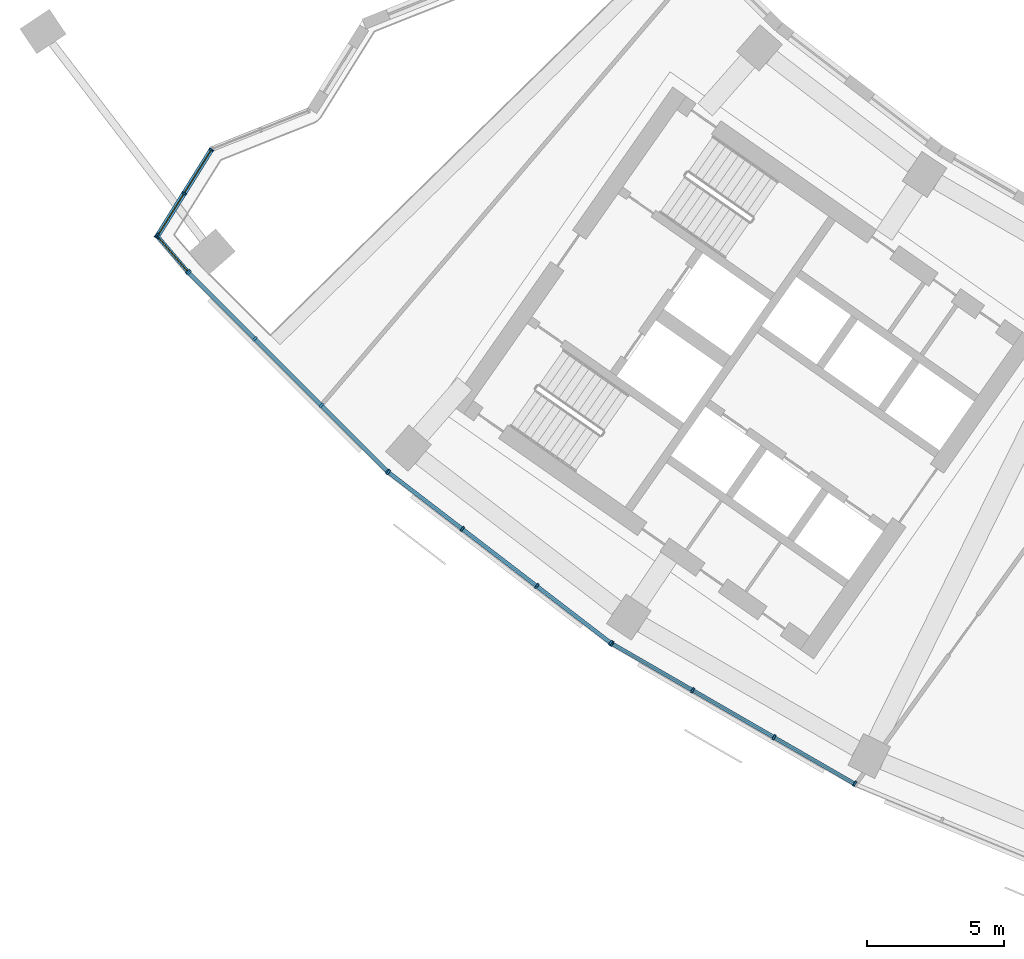
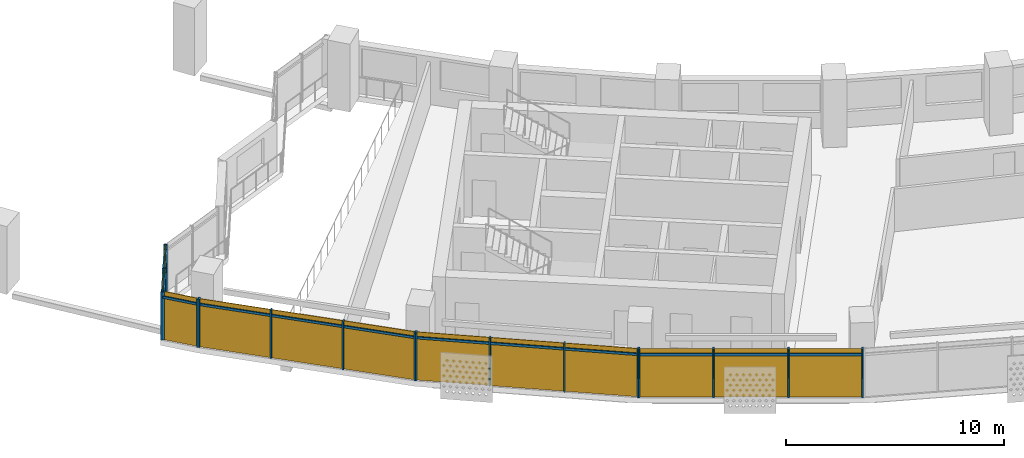
# One storey, part 16 of 27: 29 members, 5 curtain walls.
"""IFC4 building model written with IfcOpenShell, lengths in metres."""

import ifcopenshell
import ifcopenshell.guid

model = None  # the IFC model being written
_history = None  # IfcOwnerHistory: only IFC2X3 demands one
_inside = {}  # id of a spatial element -> (the spatial element, [elements in it])
_under = {}  # id of a project, library or spatial element -> (it, [spatial elements below it])
_declared = {}  # id of a project -> (the project, [libraries it declares])
_typed = {}  # id of a type object -> (the type object, [elements of that type])
_made_of = {}  # id of a material, layer set ... -> (it, [elements and type objects made of it])


def new_model(schema):
    """Start an empty IFC model of exactly this schema.

    Asked for "IFC4X3", IfcOpenShell would pick the latest addendum, in which some entities
    have other attributes; the version numbers below select the first issue.
    IFC2X3 requires an IfcOwnerHistory on every rooted entity: one is made here for all.
    """
    global model, _history
    if schema == "IFC4X3":
        model = ifcopenshell.file(schema_version=(4, 3, 0, 0))
    else:
        model = ifcopenshell.file(schema=schema)
    _inside.clear()
    _under.clear()
    _declared.clear()
    _typed.clear()
    _made_of.clear()
    _history = None
    if model.schema == "IFC2X3":
        org = make("IfcOrganization", Name="unknown")
        user = make(
            "IfcPersonAndOrganization",
            ThePerson=make("IfcPerson", FamilyName="unknown"),
            TheOrganization=org,
        )
        app = make(
            "IfcApplication",
            ApplicationDeveloper=org,
            Version="unknown",
            ApplicationFullName="unknown",
            ApplicationIdentifier="unknown",
        )
        _history = make(
            "IfcOwnerHistory",
            OwningUser=user,
            OwningApplication=app,
            ChangeAction="ADDED",
            CreationDate=0,
        )
    return model


def make(cls, **values):
    """One entity of the class cls with the attributes given. An attribute that is None is left unset."""
    return model.create_entity(
        cls, **{name: value for name, value in values.items() if value is not None}
    )


def rooted(cls, **values):
    """An entity with a GlobalId (a new one), such as an element, a storey or a relation."""
    return make(cls, GlobalId=ifcopenshell.guid.new(), OwnerHistory=_history, **values)


def si_unit(unit_type, name, prefix=None):
    """IfcSIUnit, for example si_unit("LENGTHUNIT", "METRE", prefix="MILLI")."""
    return make("IfcSIUnit", UnitType=unit_type, Prefix=prefix, Name=name)


def assignment(units):
    """IfcUnitAssignment: the units of a project."""
    return None if units is None else make("IfcUnitAssignment", Units=units)


def point(xyz):
    """IfcCartesianPoint."""
    return None if xyz is None else make("IfcCartesianPoint", Coordinates=xyz)


def direction(xyz):
    """IfcDirection."""
    return None if xyz is None else make("IfcDirection", DirectionRatios=xyz)


def frame(location, z_axis=None, x_axis=None):
    """IfcAxis2Placement3D, a coordinate frame: its origin and axes. An axis left out is left unset."""
    return make(
        "IfcAxis2Placement3D",
        Location=point(location),
        Axis=direction(z_axis),
        RefDirection=direction(x_axis),
    )


def frame_2d(location, x_axis=None):
    """IfcAxis2Placement2D, a coordinate frame in the plane: its origin and x axis."""
    return make(
        "IfcAxis2Placement2D", Location=point(location), RefDirection=direction(x_axis)
    )


def origin():
    """The frame at (0, 0, 0) with its axes left unset."""
    return frame((0.0, 0.0, 0.0))


def origin_2d():
    """The frame at (0, 0) in the plane with its x axis left unset."""
    return frame_2d((0.0, 0.0))


def place(relative_to, where):
    """IfcLocalPlacement: puts the frame where relative to a parent placement (None: the world)."""
    return make(
        "IfcLocalPlacement", PlacementRelTo=relative_to, RelativePlacement=where
    )


def context(
    kind, dimensions, precision=None, world=None, true_north=None, identifier=None
):
    """IfcGeometricRepresentationContext, for example the 3D "Model" context."""
    return make(
        "IfcGeometricRepresentationContext",
        ContextIdentifier=identifier,
        ContextType=kind,
        CoordinateSpaceDimension=dimensions,
        Precision=precision,
        WorldCoordinateSystem=world,
        TrueNorth=true_north,
    )


def subcontext(parent, identifier, kind, view, scale=None):
    """IfcGeometricRepresentationSubContext, for example "Body" below "Model"."""
    return make(
        "IfcGeometricRepresentationSubContext",
        ContextIdentifier=identifier,
        ContextType=kind,
        ParentContext=parent,
        TargetScale=scale,
        TargetView=view,
    )


def project(units=None, contexts=None):
    """IfcProject with its units and contexts."""
    return rooted(
        "IfcProject",
        Name="project",
        RepresentationContexts=contexts,
        UnitsInContext=assignment(units),
    )


def spatial(cls, under=None, at=None, **own):
    """A site, building, storey or space (cls), placed at a placement, below another one or the project."""
    s = rooted(cls, ObjectPlacement=at, **own)
    if under is not None:
        _under.setdefault(under.id(), (under, []))[1].append(s)
    return s


def profile(cls, at=None, kind="AREA", **sizes):
    """A parametric profile (cls). Its sizes go by their IFC names, for example OverallWidth=200.0."""
    return make(cls, ProfileType=kind, Position=at, **sizes)


def rectangle(**sizes):
    """IfcRectangleProfileDef."""
    return profile("IfcRectangleProfileDef", **sizes)


def extrude(swept, where, along, depth):
    """IfcExtrudedAreaSolid: the profile swept, set in the frame where, extruded along a direction by depth."""
    return make(
        "IfcExtrudedAreaSolid",
        SweptArea=swept,
        Position=where,
        ExtrudedDirection=direction(along),
        Depth=depth,
    )


def shape(context_of_items, identifier, shape_type, items):
    """IfcShapeRepresentation: the items that make up one representation, for example the "Body"."""
    return make(
        "IfcShapeRepresentation",
        ContextOfItems=context_of_items,
        RepresentationIdentifier=identifier,
        RepresentationType=shape_type,
        Items=items,
    )


def material(Name=None, Category=None):
    """IfcMaterial."""
    return make("IfcMaterial", Name=Name, Category=Category)


def material_profile(
    of_material, cross_section, Name=None, Category=None, Priority=None
):
    """IfcMaterialProfile: a cross section and its material."""
    return make(
        "IfcMaterialProfile",
        Name=Name,
        Material=of_material,
        Profile=cross_section,
        Priority=Priority,
        Category=Category,
    )


def profile_set(profiles, Name=None, composite=None):
    """IfcMaterialProfileSet."""
    return make(
        "IfcMaterialProfileSet",
        Name=Name,
        MaterialProfiles=profiles,
        CompositeProfile=composite,
    )


def made_of(thing, what):
    """Note that an element or type object is made of a material, layer set ...; save() writes the relation."""
    if what is not None:
        _made_of.setdefault(what.id(), (what, []))[1].append(thing)
    return thing


def type_object(cls, material=None, **own):
    """A type object (cls), such as IfcWallType, which elements share."""
    return made_of(rooted(cls, **own), material)


def element(
    cls,
    number,
    at=None,
    inside=None,
    cuts=None,
    type_object=None,
    material=None,
    context=None,
    identifier="Body",
    shape_type=None,
    held_by="IfcProductDefinitionShape",
    body=None,
    shapes=None,
    **own,
):
    """One element of the class cls, such as IfcWall. Its Tag is "e" and its number.

    at: its placement. inside: the storey or other place that contains it. cuts: it is an
    opening in that element (IfcRelVoidsElement). A single representation is given by context,
    identifier, shape_type and body (its items); several are given by shapes. held_by: the class
    of the entity that holds the representations. save() writes the other relations.
    """
    e = rooted(cls, Tag="e%d" % number, ObjectPlacement=at, **own)
    if body is not None:
        shapes = [shape(context, identifier, shape_type, body)]
    if shapes is not None:
        e.Representation = make(held_by, Representations=shapes)
    if inside is not None:
        _inside.setdefault(inside.id(), (inside, []))[1].append(e)
    if cuts is not None:
        rooted(
            "IfcRelVoidsElement", RelatingBuildingElement=cuts, RelatedOpeningElement=e
        )
    if type_object is not None:
        _typed.setdefault(type_object.id(), (type_object, []))[1].append(e)
    return made_of(e, material)


def aggregate(whole, parts):
    """IfcRelAggregates: a whole, such as a stair, and the parts it consists of."""
    return rooted("IfcRelAggregates", RelatingObject=whole, RelatedObjects=parts)


def save(model, path):
    """Write the relations noted so far, then the file.

    IfcRelAggregates (storeys below a building ...), IfcRelContainedInSpatialStructure (elements
    in a storey), IfcRelDefinesByType, IfcRelAssociatesMaterial and IfcRelDeclares: one each for
    every whole, place, type object, material and project.
    """
    for whole, parts in _under.values():
        aggregate(whole, parts)
    for where, things in _inside.values():
        rooted(
            "IfcRelContainedInSpatialStructure",
            RelatedElements=things,
            RelatingStructure=where,
        )
    for kind, things in _typed.values():
        rooted("IfcRelDefinesByType", RelatedObjects=things, RelatingType=kind)
    for what, things in _made_of.values():
        rooted("IfcRelAssociatesMaterial", RelatedObjects=things, RelatingMaterial=what)
    for by, libraries in _declared.values():
        rooted("IfcRelDeclares", RelatingContext=by, RelatedDefinitions=libraries)
    model.write(path)


model = new_model("IFC4")

# Units and contexts
model_context = context("Model", 3, precision=1e-05, world=origin(), true_north=direction((0.0, 1.0)))
body_context = subcontext(model_context, "Body", "Model", "MODEL_VIEW")
ifc_project = project(units=[si_unit("LENGTHUNIT", "METRE"), si_unit("AREAUNIT", "SQUARE_METRE"), si_unit("VOLUMEUNIT", "CUBIC_METRE"), si_unit("PLANEANGLEUNIT", "RADIAN"), si_unit("MASSUNIT", "GRAM", prefix="KILO")], contexts=[model_context])

# Member
ifc_material = material(Name="Aluminium 6063-T6 anodised", Category="aluminium")
ifc_material_profile_1 = material_profile(ifc_material, rectangle(XDim=0.179931640625, YDim=0.06005859375, at=origin_2d()))
ifc_profile_set_1 = profile_set([ifc_material_profile_1], Name="Aluminium 6063-T6 anodised")
member_type_1 = type_object("IfcMemberType", Name="Mullion 60 x 180 aluminium, garden", PredefinedType="MULLION", material=ifc_profile_set_1)
site_placement = place(None, origin())
building_placement = place(site_placement, origin())
storey_placement = place(building_placement, frame((0.0, 0.0, 153.10009765625)))
member_1_placement = place(storey_placement, frame((-58.484375, -47.526123046875, 0.0), z_axis=(0.0, 0.0, 1.0), x_axis=(0.848054698002, -0.529908698925, 0.0)))
member_1 = element("IfcMember", 1, at=member_1_placement, type_object=member_type_1, Name="e-cw4-L35-capW5/M00", PredefinedType="MULLION", context=body_context, shape_type="SweptSolid", body=[
    extrude(rectangle(XDim=0.179931640625, YDim=0.06005859375, at=origin_2d()), origin(), (0.0, 0.0, 1.0), 2.699951171875),
])

member_2_placement = place(storey_placement, frame((-59.484375, -49.126708984375, 0.0), z_axis=(0.0, 0.0, 1.0), x_axis=(0.848054698002, -0.529908698925, 0.0)))
member_2 = element("IfcMember", 2, at=member_2_placement, type_object=member_type_1, Name="e-cw4-L35-capW5/M01", PredefinedType="MULLION", context=body_context, shape_type="SweptSolid", body=[
    extrude(rectangle(XDim=0.179931640625, YDim=0.06005859375, at=origin_2d()), origin(), (0.0, 0.0, 1.0), 2.699951171875),
])

member_3_placement = place(storey_placement, frame((-60.484375, -50.72705078125, 0.0), z_axis=(0.0, 0.0, 1.0), x_axis=(0.848054698002, -0.529908698925, 0.0)))
member_3 = element("IfcMember", 3, at=member_3_placement, type_object=member_type_1, Name="e-cw4-L35-capW5/M02", PredefinedType="MULLION", context=body_context, shape_type="SweptSolid", body=[
    extrude(rectangle(XDim=0.179931640625, YDim=0.06005859375, at=origin_2d()), origin(), (0.0, 0.0, 1.0), 2.699951171875),
])

ifc_material_profile_2 = material_profile(ifc_material, rectangle(XDim=0.199951171875, YDim=0.070068359375, at=origin_2d()))
ifc_profile_set_2 = profile_set([ifc_material_profile_2], Name="Aluminium 6063-T6 anodised")
member_type_2 = type_object("IfcMemberType", Name="Mullion 70 x 200 aluminium", PredefinedType="MULLION", material=ifc_profile_set_2)
member_4_placement = place(storey_placement, frame((-60.486328125, -50.6611328125, 0.0), z_axis=(0.0, 0.0, 1.0), x_axis=(0.759421145239, 0.650599357642, 0.0)))
member_4 = element("IfcMember", 4, at=member_4_placement, type_object=member_type_2, Name="e-cw1-L35-out00/M00", PredefinedType="MULLION", context=body_context, shape_type="SweptSolid", body=[
    extrude(rectangle(XDim=0.199951171875, YDim=0.070068359375, at=origin_2d()), origin(), (0.0, 0.0, 1.0), 2.699951171875),
])

member_5_placement = place(storey_placement, frame((-59.34228515625, -51.99658203125, 0.0), z_axis=(0.0, 0.0, 1.0), x_axis=(0.759421145239, 0.650599357642, 0.0)))
member_5 = element("IfcMember", 5, at=member_5_placement, type_object=member_type_2, Name="e-cw1-L35-out00/M01", PredefinedType="MULLION", context=body_context, shape_type="SweptSolid", body=[
    extrude(rectangle(XDim=0.199951171875, YDim=0.070068359375, at=origin_2d()), origin(), (0.0, 0.0, 1.0), 2.699951171875),
])

member_6_placement = place(storey_placement, frame((-59.2998046875, -52.042236328125, 0.0), z_axis=(0.0, 0.0, 1.0), x_axis=(0.707106781187, 0.707106781187, 0.0)))
member_6 = element("IfcMember", 6, at=member_6_placement, type_object=member_type_2, Name="e-cw1-L35-out01/M00", PredefinedType="MULLION", context=body_context, shape_type="SweptSolid", body=[
    extrude(rectangle(XDim=0.199951171875, YDim=0.070068359375, at=origin_2d()), origin(), (0.0, 0.0, 1.0), 2.699951171875),
])

member_7_placement = place(storey_placement, frame((-56.888916015625, -54.453369140625, 0.0), z_axis=(0.0, 0.0, 1.0), x_axis=(0.707106781187, 0.707106781187, 0.0)))
member_7 = element("IfcMember", 7, at=member_7_placement, type_object=member_type_2, Name="e-cw1-L35-out01/M01", PredefinedType="MULLION", context=body_context, shape_type="SweptSolid", body=[
    extrude(rectangle(XDim=0.199951171875, YDim=0.070068359375, at=origin_2d()), origin(), (0.0, 0.0, 1.0), 2.699951171875),
])

member_8_placement = place(storey_placement, frame((-54.453369140625, -56.888916015625, 0.0), z_axis=(0.0, 0.0, 1.0), x_axis=(0.707106781187, 0.707106781187, 0.0)))
member_8 = element("IfcMember", 8, at=member_8_placement, type_object=member_type_2, Name="e-cw1-L35-out01/M02", PredefinedType="MULLION", context=body_context, shape_type="SweptSolid", body=[
    extrude(rectangle(XDim=0.199951171875, YDim=0.070068359375, at=origin_2d()), origin(), (0.0, 0.0, 1.0), 2.699951171875),
])

member_9_placement = place(storey_placement, frame((-52.042236328125, -59.2998046875, 0.0), z_axis=(0.0, 0.0, 1.0), x_axis=(0.707106781187, 0.707106781187, 0.0)))
member_9 = element("IfcMember", 9, at=member_9_placement, type_object=member_type_2, Name="e-cw1-L35-out01/M03", PredefinedType="MULLION", context=body_context, shape_type="SweptSolid", body=[
    extrude(rectangle(XDim=0.199951171875, YDim=0.070068359375, at=origin_2d()), origin(), (0.0, 0.0, 1.0), 2.699951171875),
])

member_10_placement = place(storey_placement, frame((-51.999755859375, -59.33740234375, 0.0), z_axis=(0.0, 0.0, 1.0), x_axis=(0.608761429009, 0.793353340291, 0.0)))
member_10 = element("IfcMember", 10, at=member_10_placement, type_object=member_type_2, Name="e-cw1-L35-out02/M00", PredefinedType="MULLION", context=body_context, shape_type="SweptSolid", body=[
    extrude(rectangle(XDim=0.199951171875, YDim=0.070068359375, at=origin_2d()), origin(), (0.0, 0.0, 1.0), 2.699951171875),
])

member_11_placement = place(storey_placement, frame((-49.294677734375, -61.412841796875, 0.0), z_axis=(0.0, 0.0, 1.0), x_axis=(0.608761429009, 0.793353340291, 0.0)))
member_11 = element("IfcMember", 11, at=member_11_placement, type_object=member_type_2, Name="e-cw1-L35-out02/M01", PredefinedType="MULLION", context=body_context, shape_type="SweptSolid", body=[
    extrude(rectangle(XDim=0.199951171875, YDim=0.070068359375, at=origin_2d()), origin(), (0.0, 0.0, 1.0), 2.699951171875),
])

member_12_placement = place(storey_placement, frame((-46.56201171875, -63.509765625, 0.0), z_axis=(0.0, 0.0, 1.0), x_axis=(0.608761429009, 0.793353340291, 0.0)))
member_12 = element("IfcMember", 12, at=member_12_placement, type_object=member_type_2, Name="e-cw1-L35-out02/M02", PredefinedType="MULLION", context=body_context, shape_type="SweptSolid", body=[
    extrude(rectangle(XDim=0.199951171875, YDim=0.070068359375, at=origin_2d()), origin(), (0.0, 0.0, 1.0), 2.699951171875),
])

member_13_placement = place(storey_placement, frame((-43.85693359375, -65.58544921875, 0.0), z_axis=(0.0, 0.0, 1.0), x_axis=(0.608761429009, 0.793353340291, 0.0)))
member_13 = element("IfcMember", 13, at=member_13_placement, type_object=member_type_2, Name="e-cw1-L35-out02/M03", PredefinedType="MULLION", context=body_context, shape_type="SweptSolid", body=[
    extrude(rectangle(XDim=0.199951171875, YDim=0.070068359375, at=origin_2d()), origin(), (0.0, 0.0, 1.0), 2.699951171875),
])

member_14_placement = place(storey_placement, frame((-43.809814453125, -65.616943359375, 0.0), z_axis=(0.0, 0.0, 1.0), x_axis=(0.5, 0.866025403784, 0.0)))
member_14 = element("IfcMember", 14, at=member_14_placement, type_object=member_type_2, Name="e-cw1-L35-out03/M00", PredefinedType="MULLION", context=body_context, shape_type="SweptSolid", body=[
    extrude(rectangle(XDim=0.199951171875, YDim=0.070068359375, at=origin_2d()), origin(), (0.0, 0.0, 1.0), 2.699951171875),
])

member_15_placement = place(storey_placement, frame((-40.85693359375, -67.32177734375, 0.0), z_axis=(0.0, 0.0, 1.0), x_axis=(0.5, 0.866025403784, 0.0)))
member_15 = element("IfcMember", 15, at=member_15_placement, type_object=member_type_2, Name="e-cw1-L35-out03/M01", PredefinedType="MULLION", context=body_context, shape_type="SweptSolid", body=[
    extrude(rectangle(XDim=0.199951171875, YDim=0.070068359375, at=origin_2d()), origin(), (0.0, 0.0, 1.0), 2.699951171875),
])

member_16_placement = place(storey_placement, frame((-37.873779296875, -69.0439453125, 0.0), z_axis=(0.0, 0.0, 1.0), x_axis=(0.5, 0.866025403784, 0.0)))
member_16 = element("IfcMember", 16, at=member_16_placement, type_object=member_type_2, Name="e-cw1-L35-out03/M02", PredefinedType="MULLION", context=body_context, shape_type="SweptSolid", body=[
    extrude(rectangle(XDim=0.199951171875, YDim=0.070068359375, at=origin_2d()), origin(), (0.0, 0.0, 1.0), 2.699951171875),
])

member_17_placement = place(storey_placement, frame((-34.921142578125, -70.748779296875, 0.0), z_axis=(0.0, 0.0, 1.0), x_axis=(0.5, 0.866025403784, 0.0)))
member_17 = element("IfcMember", 17, at=member_17_placement, type_object=member_type_2, Name="e-cw1-L35-out03/M03", PredefinedType="MULLION", context=body_context, shape_type="SweptSolid", body=[
    extrude(rectangle(XDim=0.199951171875, YDim=0.070068359375, at=origin_2d()), origin(), (0.0, 0.0, 1.0), 2.699951171875),
])

ifc_material_profile_3 = material_profile(ifc_material, rectangle(XDim=0.179931640625, YDim=0.10009765625, at=origin_2d()))
ifc_profile_set_3 = profile_set([ifc_material_profile_3], Name="Aluminium 6063-T6 anodised")
member_type_3 = type_object("IfcMemberType", Name="Transom 100 x 180 aluminium, garden", PredefinedType="USERDEFINED", material=ifc_profile_set_3)
member_18_placement = place(storey_placement, frame((-58.500244140625, -47.551513671875, 2.39990234375), z_axis=(-0.529914865392, -0.848050844842, 0.0), x_axis=(0.848050844842, -0.529914865392, 0.0)))
member_18 = element("IfcMember", 18, at=member_18_placement, type_object=member_type_3, Name="e-cw4-L35-capW5/T00", ObjectType="TRANSOM", PredefinedType="USERDEFINED", context=body_context, shape_type="SweptSolid", body=[
    extrude(rectangle(XDim=0.179931640625, YDim=0.10009765625, at=origin_2d()), origin(), (0.0, 0.0, 1.0), 1.8271484375),
])

member_19_placement = place(storey_placement, frame((-59.500244140625, -49.152099609375, 2.39990234375), z_axis=(-0.529914865392, -0.848050844842, 0.0), x_axis=(0.848050844842, -0.529914865392, 0.0)))
member_19 = element("IfcMember", 19, at=member_19_placement, type_object=member_type_3, Name="e-cw4-L35-capW5/T01", ObjectType="TRANSOM", PredefinedType="USERDEFINED", context=body_context, shape_type="SweptSolid", body=[
    extrude(rectangle(XDim=0.179931640625, YDim=0.10009765625, at=origin_2d()), origin(), (0.0, 0.0, 1.0), 1.8271484375),
])

ifc_material_profile_4 = material_profile(ifc_material, rectangle(XDim=0.139892578125, YDim=0.1201171875, at=origin_2d()))
ifc_profile_set_4 = profile_set([ifc_material_profile_4], Name="Aluminium 6063-T6 anodised")
member_type_4 = type_object("IfcMemberType", Name="Transom 120 x 140 aluminium", PredefinedType="USERDEFINED", material=ifc_profile_set_4)
member_20_placement = place(storey_placement, frame((-60.463623046875, -50.6875, 2.39990234375), z_axis=(0.650505615108, -0.759501444839, 0.0), x_axis=(0.759501444839, 0.650505615108, 0.0)))
member_20 = element("IfcMember", 20, at=member_20_placement, type_object=member_type_4, Name="e-cw1-L35-out00/T00", ObjectType="TRANSOM", PredefinedType="USERDEFINED", context=body_context, shape_type="SweptSolid", body=[
    extrude(rectangle(XDim=0.139892578125, YDim=0.1201171875, at=origin_2d()), origin(), (0.0, 0.0, 1.0), 1.68896484375),
])

member_21_placement = place(storey_placement, frame((-59.275146484375, -52.067138671875, 2.39990234375), z_axis=(0.707106781187, -0.707106781187, 0.0), x_axis=(0.707106781187, 0.707106781187, 0.0)))
member_21 = element("IfcMember", 21, at=member_21_placement, type_object=member_type_4, Name="e-cw1-L35-out01/T00", ObjectType="TRANSOM", PredefinedType="USERDEFINED", context=body_context, shape_type="SweptSolid", body=[
    extrude(rectangle(XDim=0.139892578125, YDim=0.1201171875, at=origin_2d()), origin(), (0.0, 0.0, 1.0), 3.33935546875),
])

member_22_placement = place(storey_placement, frame((-56.8642578125, -54.47802734375, 2.39990234375), z_axis=(0.707106781187, -0.707106781187, 0.0), x_axis=(0.707106781187, 0.707106781187, 0.0)))
member_22 = element("IfcMember", 22, at=member_22_placement, type_object=member_type_4, Name="e-cw1-L35-out01/T01", ObjectType="TRANSOM", PredefinedType="USERDEFINED", context=body_context, shape_type="SweptSolid", body=[
    extrude(rectangle(XDim=0.139892578125, YDim=0.1201171875, at=origin_2d()), origin(), (0.0, 0.0, 1.0), 3.374755859375),
])

member_23_placement = place(storey_placement, frame((-54.428466796875, -56.913818359375, 2.39990234375), z_axis=(0.707106781187, -0.707106781187, 0.0), x_axis=(0.707106781187, 0.707106781187, 0.0)))
member_23 = element("IfcMember", 23, at=member_23_placement, type_object=member_type_4, Name="e-cw1-L35-out01/T02", ObjectType="TRANSOM", PredefinedType="USERDEFINED", context=body_context, shape_type="SweptSolid", body=[
    extrude(rectangle(XDim=0.139892578125, YDim=0.1201171875, at=origin_2d()), origin(), (0.0, 0.0, 1.0), 3.33935546875),
])

member_24_placement = place(storey_placement, frame((-51.971923828125, -59.358642578125, 2.39990234375), z_axis=(0.793354486861, -0.608759934767, 0.0), x_axis=(0.608759934767, 0.793354486861, 0.0)))
member_24 = element("IfcMember", 24, at=member_24_placement, type_object=member_type_4, Name="e-cw1-L35-out02/T00", ObjectType="TRANSOM", PredefinedType="USERDEFINED", context=body_context, shape_type="SweptSolid", body=[
    extrude(rectangle(XDim=0.139892578125, YDim=0.1201171875, at=origin_2d()), origin(), (0.0, 0.0, 1.0), 3.339599609375),
])

member_25_placement = place(storey_placement, frame((-49.266845703125, -61.434326171875, 2.39990234375), z_axis=(0.793371081522, -0.608738307489, 0.0), x_axis=(0.608738307489, 0.793371081522, 0.0)))
member_25 = element("IfcMember", 25, at=member_25_placement, type_object=member_type_4, Name="e-cw1-L35-out02/T01", ObjectType="TRANSOM", PredefinedType="USERDEFINED", context=body_context, shape_type="SweptSolid", body=[
    extrude(rectangle(XDim=0.139892578125, YDim=0.1201171875, at=origin_2d()), origin(), (0.0, 0.0, 1.0), 3.37451171875),
])

member_26_placement = place(storey_placement, frame((-46.5341796875, -63.53125, 2.39990234375), z_axis=(0.793354486861, -0.608759934767, 0.0), x_axis=(0.608759934767, 0.793354486861, 0.0)))
member_26 = element("IfcMember", 26, at=member_26_placement, type_object=member_type_4, Name="e-cw1-L35-out02/T02", ObjectType="TRANSOM", PredefinedType="USERDEFINED", context=body_context, shape_type="SweptSolid", body=[
    extrude(rectangle(XDim=0.139892578125, YDim=0.1201171875, at=origin_2d()), origin(), (0.0, 0.0, 1.0), 3.339599609375),
])

member_27_placement = place(storey_placement, frame((-43.779541015625, -65.634521484375, 2.39990234375), z_axis=(0.866052898888, -0.49995237406, 0.0), x_axis=(0.49995237406, 0.866052898888, 0.0)))
member_27 = element("IfcMember", 27, at=member_27_placement, type_object=member_type_4, Name="e-cw1-L35-out03/T00", ObjectType="TRANSOM", PredefinedType="USERDEFINED", context=body_context, shape_type="SweptSolid", body=[
    extrude(rectangle(XDim=0.139892578125, YDim=0.1201171875, at=origin_2d()), origin(), (0.0, 0.0, 1.0), 3.339599609375),
])

member_28_placement = place(storey_placement, frame((-40.82666015625, -67.33935546875, 2.39990234375), z_axis=(0.86602172966, -0.500006363716, 0.0), x_axis=(0.500006363716, 0.86602172966, 0.0)))
member_28 = element("IfcMember", 28, at=member_28_placement, type_object=member_type_4, Name="e-cw1-L35-out03/T01", ObjectType="TRANSOM", PredefinedType="USERDEFINED", context=body_context, shape_type="SweptSolid", body=[
    extrude(rectangle(XDim=0.139892578125, YDim=0.1201171875, at=origin_2d()), origin(), (0.0, 0.0, 1.0), 3.37451171875),
])

member_29_placement = place(storey_placement, frame((-37.843505859375, -69.0615234375, 2.39990234375), z_axis=(0.866002968352, -0.500038857296, 0.0), x_axis=(0.500038857296, 0.866002968352, 0.0)))
member_29 = element("IfcMember", 29, at=member_29_placement, type_object=member_type_4, Name="e-cw1-L35-out03/T02", ObjectType="TRANSOM", PredefinedType="USERDEFINED", context=body_context, shape_type="SweptSolid", body=[
    extrude(rectangle(XDim=0.139892578125, YDim=0.1201171875, at=origin_2d()), origin(), (0.0, 0.0, 1.0), 3.339599609375),
])

# Site, building, storey
site = spatial("IfcSite", under=ifc_project, at=site_placement, CompositionType="ELEMENT")
building = spatial("IfcBuilding", under=site, at=building_placement, Name="Qamariyya Broadcast Tower", CompositionType="ELEMENT")
storey = spatial("IfcBuildingStorey", under=building, at=storey_placement, Name="L35", CompositionType="ELEMENT", Elevation=153.10009765625)

# Curtain wall
curtain_wall_type_1 = type_object("IfcCurtainWallType", Name="Sky garden enclosure curtain wall", PredefinedType="NOTDEFINED", material=ifc_material)
curtain_wall_1_placement = place(storey_placement, origin())
curtain_wall_1 = element("IfcCurtainWall", 30, at=curtain_wall_1_placement, inside=storey, type_object=curtain_wall_type_1, Name="e-cw4-L35-capW5", PredefinedType="NOTDEFINED", context=body_context, shape_type="SweptSolid", body=[
    extrude(rectangle(XDim=1.8271484375, YDim=0.031982421875, at=origin_2d()), frame((-58.984375, -48.326416015625, 0.0), x_axis=(-0.529890190031, -0.848066263041, 0.0)), (0.0, 0.0, 1.0), 2.35009765625),
    extrude(rectangle(XDim=1.8271484375, YDim=0.031982421875, at=origin_2d()), frame((-58.984375, -48.326416015625, 2.449951171875), x_axis=(-0.529890190031, -0.848066263041, 0.0)), (0.0, 0.0, 1.0), 0.25),
    extrude(rectangle(XDim=1.8271484375, YDim=0.031982421875, at=origin_2d()), frame((-59.984375, -49.9267578125, 0.0), x_axis=(-0.529890190031, -0.848066263041, 0.0)), (0.0, 0.0, 1.0), 2.35009765625),
    extrude(rectangle(XDim=1.8271484375, YDim=0.031982421875, at=origin_2d()), frame((-59.984375, -49.9267578125, 2.449951171875), x_axis=(-0.529890190031, -0.848066263041, 0.0)), (0.0, 0.0, 1.0), 0.25),
])

aggregate(curtain_wall_1, [member_1, member_2, member_3, member_18, member_19])

curtain_wall_type_2 = type_object("IfcCurtainWallType", Name="Unitised curtain wall, anodised aluminium", PredefinedType="NOTDEFINED", material=ifc_material)
curtain_wall_2_placement = place(storey_placement, origin())
curtain_wall_2 = element("IfcCurtainWall", 31, at=curtain_wall_2_placement, inside=storey, type_object=curtain_wall_type_2, Name="e-cw1-L35-out00", PredefinedType="NOTDEFINED", context=body_context, shape_type="SweptSolid", body=[
    extrude(rectangle(XDim=1.688720703125, YDim=0.031982421875, at=origin_2d()), frame((-59.914306640625, -51.328857421875, 0.0), x_axis=(0.650681425047, -0.759350830051, 0.0)), (0.0, 0.0, 1.0), 2.340087890625),
    extrude(rectangle(XDim=1.688720703125, YDim=0.031982421875, at=origin_2d()), frame((-59.914306640625, -51.328857421875, 2.4599609375), x_axis=(0.650681425047, -0.759350830051, 0.0)), (0.0, 0.0, 1.0), 0.239990234375),
])

aggregate(curtain_wall_2, [member_4, member_5, member_20])

curtain_wall_3_placement = place(storey_placement, origin())
curtain_wall_3 = element("IfcCurtainWall", 32, at=curtain_wall_3_placement, inside=storey, type_object=curtain_wall_type_2, Name="e-cw1-L35-out01", PredefinedType="NOTDEFINED", context=body_context, shape_type="SweptSolid", body=[
    extrude(rectangle(XDim=3.339599609375, YDim=0.031982421875, at=origin_2d()), frame((-58.094482421875, -53.247802734375, 0.0), x_axis=(0.707106781187, -0.707106781187, 0.0)), (0.0, 0.0, 1.0), 2.340087890625),
    extrude(rectangle(XDim=3.339599609375, YDim=0.031982421875, at=origin_2d()), frame((-58.094482421875, -53.247802734375, 2.4599609375), x_axis=(0.707106781187, -0.707106781187, 0.0)), (0.0, 0.0, 1.0), 0.239990234375),
    extrude(rectangle(XDim=3.37451171875, YDim=0.031982421875, at=origin_2d()), frame((-55.671142578125, -55.671142578125, 0.0), x_axis=(0.707106781187, -0.707106781187, 0.0)), (0.0, 0.0, 1.0), 2.340087890625),
    extrude(rectangle(XDim=3.37451171875, YDim=0.031982421875, at=origin_2d()), frame((-55.671142578125, -55.671142578125, 2.4599609375), x_axis=(0.707106781187, -0.707106781187, 0.0)), (0.0, 0.0, 1.0), 0.239990234375),
    extrude(rectangle(XDim=3.339599609375, YDim=0.031982421875, at=origin_2d()), frame((-53.247802734375, -58.094482421875, 0.0), x_axis=(0.707106781187, -0.707106781187, 0.0)), (0.0, 0.0, 1.0), 2.340087890625),
    extrude(rectangle(XDim=3.339599609375, YDim=0.031982421875, at=origin_2d()), frame((-53.247802734375, -58.094482421875, 2.4599609375), x_axis=(0.707106781187, -0.707106781187, 0.0)), (0.0, 0.0, 1.0), 0.239990234375),
])

aggregate(curtain_wall_3, [member_6, member_7, member_8, member_9, member_21, member_22, member_23])

curtain_wall_4_placement = place(storey_placement, origin())
curtain_wall_4 = element("IfcCurtainWall", 33, at=curtain_wall_4_placement, inside=storey, type_object=curtain_wall_type_2, Name="e-cw1-L35-out02", PredefinedType="NOTDEFINED", context=body_context, shape_type="SweptSolid", body=[
    extrude(rectangle(XDim=3.339599609375, YDim=0.031982421875, at=origin_2d()), frame((-50.64697265625, -60.375, 0.0), x_axis=(0.793351517557, -0.608763804434, 0.0)), (0.0, 0.0, 1.0), 2.340087890625),
    extrude(rectangle(XDim=3.339599609375, YDim=0.031982421875, at=origin_2d()), frame((-50.64697265625, -60.375, 2.4599609375), x_axis=(0.793351517557, -0.608763804434, 0.0)), (0.0, 0.0, 1.0), 0.239990234375),
    extrude(rectangle(XDim=3.37451171875, YDim=0.031982421875, at=origin_2d()), frame((-47.92822265625, -62.46142578125, 0.0), x_axis=(0.793351517557, -0.608763804434, 0.0)), (0.0, 0.0, 1.0), 2.340087890625),
    extrude(rectangle(XDim=3.37451171875, YDim=0.031982421875, at=origin_2d()), frame((-47.92822265625, -62.46142578125, 2.4599609375), x_axis=(0.793351517557, -0.608763804434, 0.0)), (0.0, 0.0, 1.0), 0.239990234375),
    extrude(rectangle(XDim=3.339599609375, YDim=0.031982421875, at=origin_2d()), frame((-45.20947265625, -64.547607421875, 0.0), x_axis=(0.793351517557, -0.608763804434, 0.0)), (0.0, 0.0, 1.0), 2.340087890625),
    extrude(rectangle(XDim=3.339599609375, YDim=0.031982421875, at=origin_2d()), frame((-45.20947265625, -64.547607421875, 2.4599609375), x_axis=(0.793351517557, -0.608763804434, 0.0)), (0.0, 0.0, 1.0), 0.239990234375),
])

aggregate(curtain_wall_4, [member_10, member_11, member_12, member_13, member_24, member_25, member_26])

curtain_wall_5_placement = place(storey_placement, origin())
curtain_wall_5 = element("IfcCurtainWall", 34, at=curtain_wall_5_placement, inside=storey, type_object=curtain_wall_type_2, Name="e-cw1-L35-out03", PredefinedType="NOTDEFINED", context=body_context, shape_type="SweptSolid", body=[
    extrude(rectangle(XDim=3.339599609375, YDim=0.031982421875, at=origin_2d()), frame((-42.33349609375, -66.469482421875, 0.0), x_axis=(0.866028999376, -0.499993772201, 0.0)), (0.0, 0.0, 1.0), 2.340087890625),
    extrude(rectangle(XDim=3.339599609375, YDim=0.031982421875, at=origin_2d()), frame((-42.33349609375, -66.469482421875, 2.4599609375), x_axis=(0.866028999376, -0.499993772201, 0.0)), (0.0, 0.0, 1.0), 0.239990234375),
    extrude(rectangle(XDim=3.37451171875, YDim=0.031982421875, at=origin_2d()), frame((-39.365478515625, -68.18310546875, 0.0), x_axis=(0.866028999376, -0.499993772201, 0.0)), (0.0, 0.0, 1.0), 2.340087890625),
    extrude(rectangle(XDim=3.37451171875, YDim=0.031982421875, at=origin_2d()), frame((-39.365478515625, -68.18310546875, 2.4599609375), x_axis=(0.866028999376, -0.499993772201, 0.0)), (0.0, 0.0, 1.0), 0.239990234375),
    extrude(rectangle(XDim=3.339599609375, YDim=0.031982421875, at=origin_2d()), frame((-36.3974609375, -69.896484375, 0.0), x_axis=(0.866028999376, -0.499993772201, 0.0)), (0.0, 0.0, 1.0), 2.340087890625),
    extrude(rectangle(XDim=3.339599609375, YDim=0.031982421875, at=origin_2d()), frame((-36.3974609375, -69.896484375, 2.4599609375), x_axis=(0.866028999376, -0.499993772201, 0.0)), (0.0, 0.0, 1.0), 0.239990234375),
])

aggregate(curtain_wall_5, [member_14, member_15, member_16, member_17, member_27, member_28, member_29])

save(model, "model.ifc")
